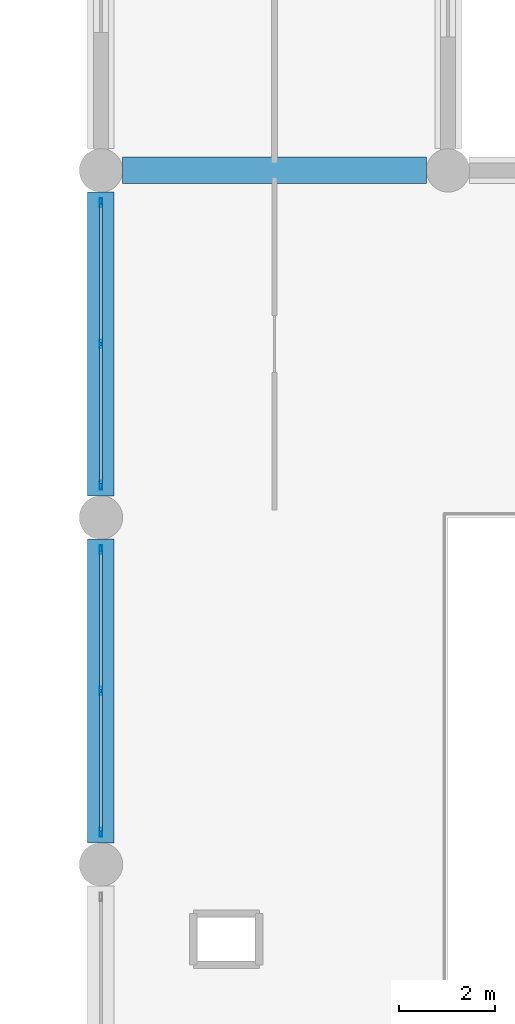
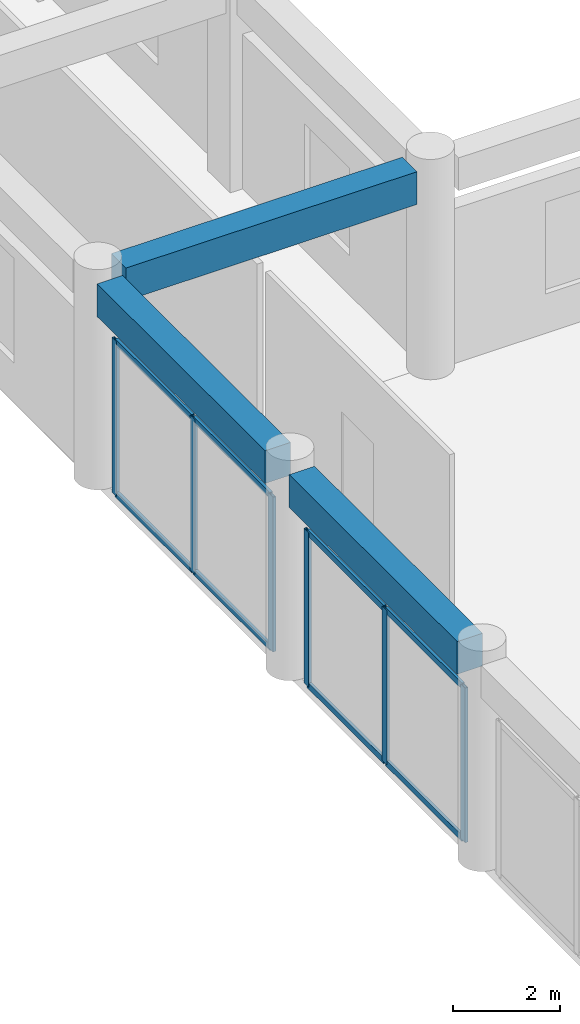
# One storey, part 8 of 54: 14 members, 3 beams, 2 elements without a shape of their own.
"""IFC4 building model written with IfcOpenShell, lengths in metres."""

from ifc_helpers import new_model, si_unit, direction, frame, origin, origin_2d, place, context, subcontext, project, spatial, rectangle, hollow_rectangle, extrude, material, material_profile, profile_set, type_object, element, aggregate, save


model = new_model("IFC4")

# Units and contexts
model_context = context("Model", 3, precision=1e-05, world=origin(), true_north=direction((0.0, 1.0)))
body_context = subcontext(model_context, "Body", "Model", "MODEL_VIEW")
ifc_project = project(units=[si_unit("LENGTHUNIT", "METRE"), si_unit("AREAUNIT", "SQUARE_METRE"), si_unit("VOLUMEUNIT", "CUBIC_METRE"), si_unit("PLANEANGLEUNIT", "RADIAN"), si_unit("MASSUNIT", "GRAM", prefix="KILO")], contexts=[model_context])

# Site, building, storey
site_placement = place(None, origin())
site = spatial("IfcSite", under=ifc_project, at=site_placement, CompositionType="ELEMENT")
building_placement = place(site_placement, origin())
building = spatial("IfcBuilding", under=site, at=building_placement, Name="Kazehaya Institute of Natural Sciences", CompositionType="ELEMENT")
storey_placement = place(building_placement, frame((0.0, 0.0, 5.39990234375)))
storey = spatial("IfcBuildingStorey", under=building, at=storey_placement, Name="L01", CompositionType="ELEMENT", Elevation=5.39990234375)

# Beams
ifc_material_1 = material(Name="Concrete Fc36", Category="concrete")
ifc_material_profile_1 = material_profile(ifc_material_1, rectangle(XDim=0.550048828125, YDim=0.75, at=origin_2d()), Name="RC-550x750")
ifc_profile_set_1 = profile_set([ifc_material_profile_1], Name="Concrete Fc36")
beam_type = type_object("IfcBeamType", Name="BM-G-550x750", PredefinedType="BEAM", material=ifc_profile_set_1)
for number, where, z_axis, x_axis, name in (
    (1, (62.25, 64.39990234375, 4.39501953125), (1.0, 0.0, 0.0), (0.0, 1.0, 0.0), "L01 primary X girder BMX-L01-618-644"),
    (2, (61.800048828125, 50.449951171875, 4.39501953125), (0.0, 1.0, 0.0), (-1.0, 0.0, 0.0), "L01 primary Y girder BMY-L01-618-500"),
    (3, (61.800048828125, 57.64990234375, 4.39501953125), (0.0, 1.0, 0.0), (-1.0, 0.0, 0.0), "L01 primary Y girder BMY-L01-618-572"),
):
    element("IfcBeam", number, at=place(storey_placement, frame(where, z_axis=z_axis, x_axis=x_axis)), inside=storey, type_object=beam_type, Name=name, PredefinedType="BEAM", context=body_context, shape_type="SweptSolid", body=[
        extrude(rectangle(XDim=0.550048828125, YDim=0.75, at=origin_2d()), origin(), (0.0, 0.0, 1.0), 6.300048828125),
    ])

# Curtain wall, members
ifc_material_2 = material(Name="Aluminium alloy A6063S-T5", Category="aluminium")
curtain_wall_type = type_object("IfcCurtainWallType", Name="CW-SYS-02", PredefinedType="NOTDEFINED", material=ifc_material_2)
curtain_wall_1_placement = place(storey_placement, origin())
curtain_wall_1 = element("IfcCurtainWall", 4, at=curtain_wall_1_placement, inside=storey, type_object=curtain_wall_type, Name="L01 unitised curtain wall CW-L01-019", PredefinedType="NOTDEFINED")
ifc_material_profile_2 = material_profile(ifc_material_2, hollow_rectangle(XDim=0.06005859375, YDim=0.179931640625, WallThickness=0.00390625, at=origin_2d()), Name="ALU-60x180x4")
ifc_profile_set_2 = profile_set([ifc_material_profile_2], Name="Aluminium alloy A6063S-T5")
member_type_1 = type_object("IfcMemberType", Name="CWM-180", PredefinedType="MULLION", material=ifc_profile_set_2)
member_1_placement = place(storey_placement, frame((61.800048828125, 50.669921875, 0.0), z_axis=(0.0, 0.0, 1.0), x_axis=(-1.0, 0.0, 0.0)))
member_1 = element("IfcMember", 5, at=member_1_placement, type_object=member_type_1, Name="CW02 mullion 1", PredefinedType="MULLION", context=body_context, shape_type="SweptSolid", body=[
    extrude(hollow_rectangle(XDim=0.06005859375, YDim=0.179931640625, WallThickness=0.00390625, at=origin_2d()), origin(), (0.0, 0.0, 1.0), 3.5400390625),
])
member_2_placement = place(storey_placement, frame((61.800048828125, 53.60009765625, 0.0), z_axis=(0.0, 0.0, 1.0), x_axis=(-1.0, 0.0, 0.0)))
member_2 = element("IfcMember", 6, at=member_2_placement, type_object=member_type_1, Name="CW02 mullion 2", PredefinedType="MULLION", context=body_context, shape_type="SweptSolid", body=[
    extrude(hollow_rectangle(XDim=0.06005859375, YDim=0.179931640625, WallThickness=0.00390625, at=origin_2d()), origin(), (0.0, 0.0, 1.0), 3.5400390625),
])
member_3_placement = place(storey_placement, frame((61.800048828125, 56.530029296875, 0.0), z_axis=(0.0, 0.0, 1.0), x_axis=(-1.0, 0.0, 0.0)))
member_3 = element("IfcMember", 7, at=member_3_placement, type_object=member_type_1, Name="CW02 mullion 3", PredefinedType="MULLION", context=body_context, shape_type="SweptSolid", body=[
    extrude(hollow_rectangle(XDim=0.06005859375, YDim=0.179931640625, WallThickness=0.00390625, at=origin_2d()), origin(), (0.0, 0.0, 1.0), 3.5400390625),
])

curtain_wall_2_placement = place(storey_placement, origin())
curtain_wall_2 = element("IfcCurtainWall", 8, at=curtain_wall_2_placement, inside=storey, type_object=curtain_wall_type, Name="L01 unitised curtain wall CW-L01-021", PredefinedType="NOTDEFINED")
member_4_placement = place(storey_placement, frame((61.800048828125, 57.8701171875, 0.0), z_axis=(0.0, 0.0, 1.0), x_axis=(-1.0, 0.0, 0.0)))
member_4 = element("IfcMember", 9, at=member_4_placement, type_object=member_type_1, Name="CW02 mullion 1", PredefinedType="MULLION", context=body_context, shape_type="SweptSolid", body=[
    extrude(hollow_rectangle(XDim=0.06005859375, YDim=0.179931640625, WallThickness=0.00390625, at=origin_2d()), origin(), (0.0, 0.0, 1.0), 3.5400390625),
])
member_5_placement = place(storey_placement, frame((61.800048828125, 60.800048828125, 0.0), z_axis=(0.0, 0.0, 1.0), x_axis=(-1.0, 0.0, 0.0)))
member_5 = element("IfcMember", 10, at=member_5_placement, type_object=member_type_1, Name="CW02 mullion 2", PredefinedType="MULLION", context=body_context, shape_type="SweptSolid", body=[
    extrude(hollow_rectangle(XDim=0.06005859375, YDim=0.179931640625, WallThickness=0.00390625, at=origin_2d()), origin(), (0.0, 0.0, 1.0), 3.5400390625),
])
member_6_placement = place(storey_placement, frame((61.800048828125, 63.72998046875, 0.0), z_axis=(0.0, 0.0, 1.0), x_axis=(-1.0, 0.0, 0.0)))
member_6 = element("IfcMember", 11, at=member_6_placement, type_object=member_type_1, Name="CW02 mullion 3", PredefinedType="MULLION", context=body_context, shape_type="SweptSolid", body=[
    extrude(hollow_rectangle(XDim=0.06005859375, YDim=0.179931640625, WallThickness=0.00390625, at=origin_2d()), origin(), (0.0, 0.0, 1.0), 3.5400390625),
])

# Member
ifc_material_profile_3 = material_profile(ifc_material_2, hollow_rectangle(XDim=0.06005859375, YDim=0.139892578125, WallThickness=0.00341796875, at=origin_2d()), Name="ALU-60x140x3.5")
ifc_profile_set_3 = profile_set([ifc_material_profile_3], Name="Aluminium alloy A6063S-T5")
member_type_2 = type_object("IfcMemberType", Name="CWT-140", PredefinedType="USERDEFINED", material=ifc_profile_set_3)
member_7_placement = place(storey_placement, frame((61.800048828125, 50.699951171875, 0.030029296875), z_axis=(0.0, 1.0, 0.0), x_axis=(-1.0, 0.0, 0.0)))
member_7 = element("IfcMember", 12, at=member_7_placement, type_object=member_type_2, Name="CW02 transom 1.1", ObjectType="TRANSOM", PredefinedType="USERDEFINED", context=body_context, shape_type="SweptSolid", body=[
    extrude(hollow_rectangle(XDim=0.06005859375, YDim=0.139892578125, WallThickness=0.00341796875, at=origin_2d()), origin(), (0.0, 0.0, 1.0), 2.8701171875),
])

member_8_placement = place(storey_placement, frame((61.800048828125, 50.699951171875, 3.510009765625), z_axis=(0.0, 1.0, 0.0), x_axis=(-1.0, 0.0, 0.0)))
member_8 = element("IfcMember", 13, at=member_8_placement, type_object=member_type_2, Name="CW02 transom 1.2", ObjectType="TRANSOM", PredefinedType="USERDEFINED", context=body_context, shape_type="SweptSolid", body=[
    extrude(hollow_rectangle(XDim=0.06005859375, YDim=0.139892578125, WallThickness=0.00341796875, at=origin_2d()), origin(), (0.0, 0.0, 1.0), 2.8701171875),
])

member_9_placement = place(storey_placement, frame((61.800048828125, 53.6298828125, 0.030029296875), z_axis=(0.0, 1.0, 0.0), x_axis=(-1.0, 0.0, 0.0)))
member_9 = element("IfcMember", 14, at=member_9_placement, type_object=member_type_2, Name="CW02 transom 2.1", ObjectType="TRANSOM", PredefinedType="USERDEFINED", context=body_context, shape_type="SweptSolid", body=[
    extrude(hollow_rectangle(XDim=0.06005859375, YDim=0.139892578125, WallThickness=0.00341796875, at=origin_2d()), origin(), (0.0, 0.0, 1.0), 2.8701171875),
])

member_10_placement = place(storey_placement, frame((61.800048828125, 53.6298828125, 3.510009765625), z_axis=(0.0, 1.0, 0.0), x_axis=(-1.0, 0.0, 0.0)))
member_10 = element("IfcMember", 15, at=member_10_placement, type_object=member_type_2, Name="CW02 transom 2.2", ObjectType="TRANSOM", PredefinedType="USERDEFINED", context=body_context, shape_type="SweptSolid", body=[
    extrude(hollow_rectangle(XDim=0.06005859375, YDim=0.139892578125, WallThickness=0.00341796875, at=origin_2d()), origin(), (0.0, 0.0, 1.0), 2.8701171875),
])

aggregate(curtain_wall_1, [member_1, member_2, member_3, member_7, member_8, member_9, member_10])

member_11_placement = place(storey_placement, frame((61.800048828125, 57.89990234375, 0.030029296875), z_axis=(0.0, 1.0, 0.0), x_axis=(-1.0, 0.0, 0.0)))
member_11 = element("IfcMember", 16, at=member_11_placement, type_object=member_type_2, Name="CW02 transom 1.1", ObjectType="TRANSOM", PredefinedType="USERDEFINED", context=body_context, shape_type="SweptSolid", body=[
    extrude(hollow_rectangle(XDim=0.06005859375, YDim=0.139892578125, WallThickness=0.00341796875, at=origin_2d()), origin(), (0.0, 0.0, 1.0), 2.8701171875),
])

member_12_placement = place(storey_placement, frame((61.800048828125, 57.89990234375, 3.510009765625), z_axis=(0.0, 1.0, 0.0), x_axis=(-1.0, 0.0, 0.0)))
member_12 = element("IfcMember", 17, at=member_12_placement, type_object=member_type_2, Name="CW02 transom 1.2", ObjectType="TRANSOM", PredefinedType="USERDEFINED", context=body_context, shape_type="SweptSolid", body=[
    extrude(hollow_rectangle(XDim=0.06005859375, YDim=0.139892578125, WallThickness=0.00341796875, at=origin_2d()), origin(), (0.0, 0.0, 1.0), 2.8701171875),
])

member_13_placement = place(storey_placement, frame((61.800048828125, 60.830078125, 0.030029296875), z_axis=(0.0, 1.0, 0.0), x_axis=(-1.0, 0.0, 0.0)))
member_13 = element("IfcMember", 18, at=member_13_placement, type_object=member_type_2, Name="CW02 transom 2.1", ObjectType="TRANSOM", PredefinedType="USERDEFINED", context=body_context, shape_type="SweptSolid", body=[
    extrude(hollow_rectangle(XDim=0.06005859375, YDim=0.139892578125, WallThickness=0.00341796875, at=origin_2d()), origin(), (0.0, 0.0, 1.0), 2.869873046875),
])

member_14_placement = place(storey_placement, frame((61.800048828125, 60.830078125, 3.510009765625), z_axis=(0.0, 1.0, 0.0), x_axis=(-1.0, 0.0, 0.0)))
member_14 = element("IfcMember", 19, at=member_14_placement, type_object=member_type_2, Name="CW02 transom 2.2", ObjectType="TRANSOM", PredefinedType="USERDEFINED", context=body_context, shape_type="SweptSolid", body=[
    extrude(hollow_rectangle(XDim=0.06005859375, YDim=0.139892578125, WallThickness=0.00341796875, at=origin_2d()), origin(), (0.0, 0.0, 1.0), 2.869873046875),
])

aggregate(curtain_wall_2, [member_4, member_5, member_6, member_11, member_12, member_13, member_14])

save(model, "model.ifc")
